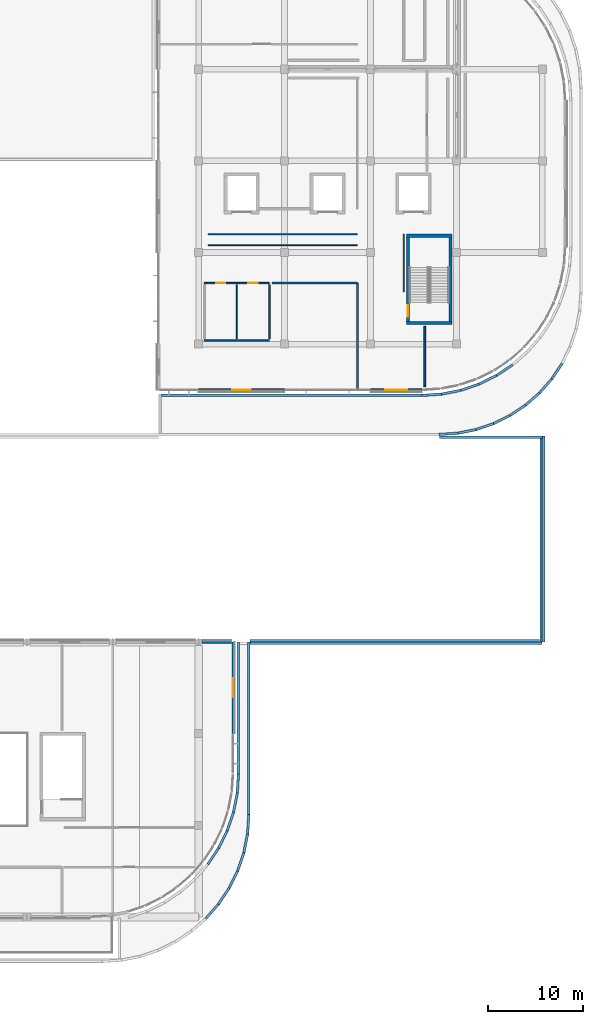
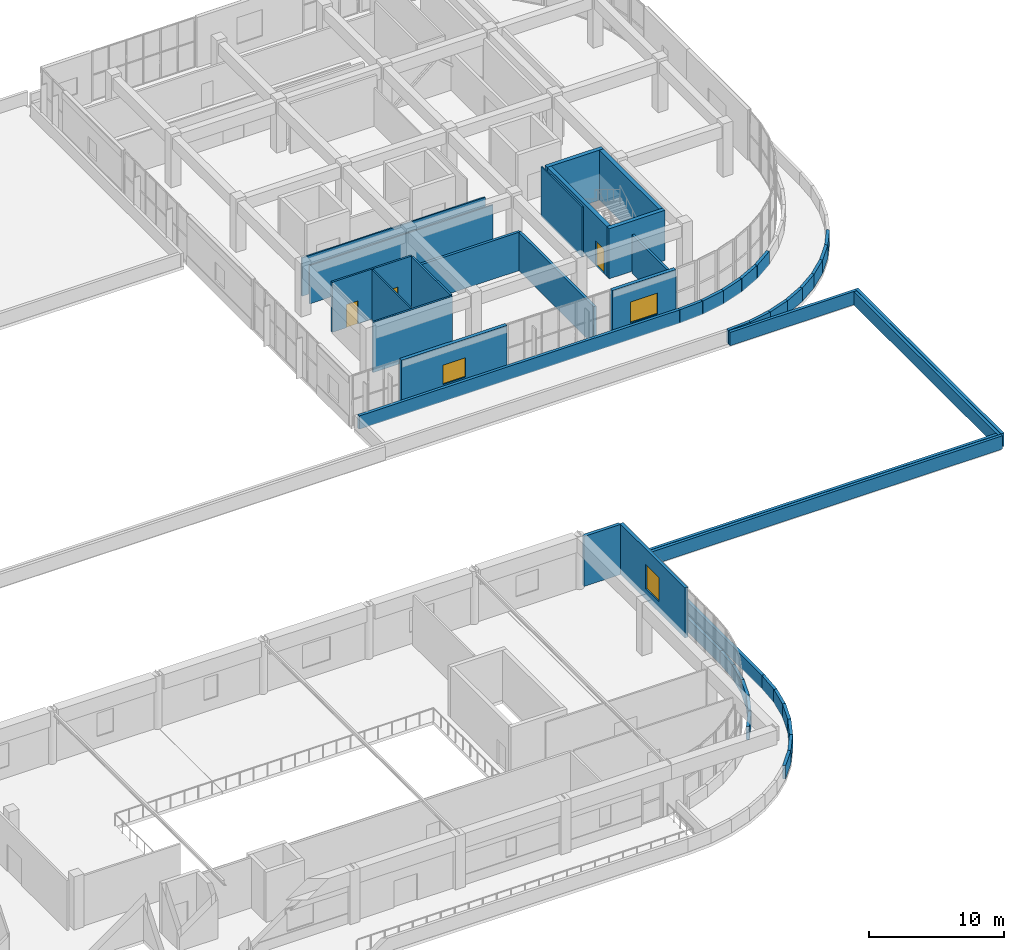
# One storey, part 50 of 67: 51 walls, 3 doors, 3 windows, 6 openings.
"""IFC4 building model written with IfcOpenShell, lengths in metres."""

from ifc_helpers import new_model, si_unit, direction, frame, frame_2d, origin, place, context, subcontext, project, spatial, rectangle, extrude, material, layer, layer_set, type_object, element, fill, save


model = new_model("IFC4")

# Units and contexts
model_context = context("Model", 3, precision=1e-05, world=origin(), true_north=direction((0.0, 1.0)))
body_context = subcontext(model_context, "Body", "Model", "MODEL_VIEW")
ifc_project = project(units=[si_unit("LENGTHUNIT", "METRE"), si_unit("AREAUNIT", "SQUARE_METRE"), si_unit("VOLUMEUNIT", "CUBIC_METRE"), si_unit("PLANEANGLEUNIT", "RADIAN"), si_unit("MASSUNIT", "GRAM", prefix="KILO")], contexts=[model_context])

# Site, building, storey
site_placement = place(None, origin())
site = spatial("IfcSite", under=ifc_project, at=site_placement, CompositionType="ELEMENT")
building_placement = place(site_placement, origin())
building = spatial("IfcBuilding", under=site, at=building_placement, Name="Cendralis Terraced Arcade", CompositionType="ELEMENT")
storey_placement = place(building_placement, frame((0.0, 0.0, 15.0)))
storey = spatial("IfcBuildingStorey", under=building, at=storey_placement, Name="L03", CompositionType="ELEMENT", Elevation=15.0)

# Walls
ifc_material_1 = material(Name="Gypsum plasterboard acoustic partition", Category="concrete")
ifc_layer_1 = layer(ifc_material_1, 0.195068359375, Name="WL-ACOU-195")
ifc_layer_set_1 = layer_set([ifc_layer_1], Name="Gypsum plasterboard acoustic partition")
wall_type_1 = type_object("IfcWallType", Name="WL-ACOU-195", PredefinedType="PARTITIONING", material=ifc_layer_set_1)
wall_1_placement = place(storey_placement, frame((153.8798828125, 71.4599609375, 0.0), z_axis=(0.0, 0.0, 1.0), x_axis=(0.0, -1.0, 0.0)))
element("IfcWall", 1, at=wall_1_placement, inside=storey, type_object=wall_type_1, Name="Interior Partition Wall IW-L03-0567", PredefinedType="PARTITIONING", context=body_context, shape_type="SweptSolid", body=[
    extrude(rectangle(XDim=6.30078125, YDim=0.195068359375, at=frame_2d((3.150390625, 0.0))), origin(), (0.0, 0.0, 1.0), 3.4599609375),
])
ifc_material_2 = material(Name="Autoclaved aerated concrete blockwork", Category="masonry")
ifc_layer_2 = layer(ifc_material_2, 0.221923828125, Name="WL-ACOU-222")
ifc_layer_set_2 = layer_set([ifc_layer_2], Name="Autoclaved aerated concrete blockwork")
wall_type_2 = type_object("IfcWallType", Name="WL-ACOU-222", PredefinedType="PARTITIONING", material=ifc_layer_set_2)
wall_2_placement = place(storey_placement, frame((137.85888671875, 76.02001953125, 0.0), z_axis=(0.0, 0.0, 1.0), x_axis=(1.0, 0.0, 0.0)))
element("IfcWall", 2, at=wall_2_placement, inside=storey, type_object=wall_type_2, Name="Interior Partition Wall IW-L03-0563", PredefinedType="PARTITIONING", context=body_context, shape_type="SweptSolid", body=[
    extrude(rectangle(XDim=8.961181640625, YDim=0.221923828125, at=frame_2d((4.48046875, 0.0))), origin(), (0.0, 0.0, 1.0), 3.4599609375),
])
ifc_layer_3 = layer(ifc_material_2, 0.22802734375, Name="WL-ACOU-228")
ifc_layer_set_3 = layer_set([ifc_layer_3], Name="Autoclaved aerated concrete blockwork")
wall_type_3 = type_object("IfcWallType", Name="WL-ACOU-228", PredefinedType="PARTITIONING", material=ifc_layer_set_3)
wall_3_placement = place(storey_placement, frame((146.820068359375, 76.02001953125, 0.0), z_axis=(0.0, 0.0, 1.0), x_axis=(0.0, -1.0, 0.0)))
element("IfcWall", 3, at=wall_3_placement, inside=storey, type_object=wall_type_3, Name="Interior Partition Wall IW-L03-0562", PredefinedType="PARTITIONING", context=body_context, shape_type="SweptSolid", body=[
    extrude(rectangle(XDim=11.159912109375, YDim=0.22802734375, at=frame_2d((5.580078125, 0.0))), origin(), (0.0, 0.0, 1.0), 3.4599609375),
])
ifc_material_3 = material(Name="Concrete f'c 42 MPa", Category="concrete")
ifc_layer_4 = layer(ifc_material_3, 0.340087890625, Name="WL-CORE-340")
ifc_layer_set_4 = layer_set([ifc_layer_4], Name="Concrete f'c 42 MPa")
wall_type_4 = type_object("IfcWallType", Name="WL-CORE-340", PredefinedType="SHEAR", material=ifc_layer_set_4)
for number, where, z_axis, x_axis, name in (
    (4, (151.9599609375, 71.830078125, 0.0), (0.0, 0.0, 1.0), (1.0, 0.0, 0.0), "Stair Core Reinforced Concrete Shear Wall SW-ST-06-L03-S"),
    (5, (151.9599609375, 80.969970703125, 0.0), (0.0, 0.0, 1.0), (1.0, 0.0, 0.0), "Stair Core Reinforced Concrete Shear Wall SW-ST-06-L03-N"),
):
    element("IfcWall", number, at=place(storey_placement, frame(where, z_axis=z_axis, x_axis=x_axis)), inside=storey, type_object=wall_type_4, Name=name, PredefinedType="SHEAR", context=body_context, shape_type="SweptSolid", body=[
        extrude(rectangle(XDim=4.780029296875, YDim=0.340087890625, at=frame_2d((2.39013671875, 0.0))), origin(), (0.0, 0.0, 1.0), 4.52001953125),
    ])
wall_4_placement = place(storey_placement, frame((156.570068359375, 72.0, 0.0), z_axis=(0.0, 0.0, 1.0), x_axis=(0.0, 1.0, 0.0)))
element("IfcWall", 6, at=wall_4_placement, inside=storey, type_object=wall_type_4, Name="Stair Core Reinforced Concrete Shear Wall SW-ST-06-L03-E", PredefinedType="SHEAR", context=body_context, shape_type="SweptSolid", body=[
    extrude(rectangle(XDim=8.800048828125, YDim=0.340087890625, at=frame_2d((4.39990234375, 0.0))), origin(), (0.0, 0.0, 1.0), 4.52001953125),
])

# Wall, opening, door
wall_5_placement = place(storey_placement, frame((152.1298828125, 72.0, 0.0), z_axis=(0.0, 0.0, 1.0), x_axis=(0.0, 1.0, 0.0)))
wall_5 = element("IfcWall", 7, at=wall_5_placement, inside=storey, type_object=wall_type_4, Name="Stair Core Reinforced Concrete Shear Wall SW-ST-06-L03-W", PredefinedType="SHEAR", context=body_context, shape_type="SweptSolid", body=[
    extrude(rectangle(XDim=8.800048828125, YDim=0.340087890625, at=frame_2d((4.39990234375, 0.0))), origin(), (0.0, 0.0, 1.0), 4.52001953125),
])
opening_1_placement = place(wall_5_placement, frame((0.449951171875, 0.0, 0.0)))
opening_1 = element("IfcOpeningElement", 8, at=opening_1_placement, cuts=wall_5, Name="Opening D-ST-06-L03", PredefinedType="OPENING", context=body_context, shape_type="SweptSolid", body=[
    extrude(rectangle(XDim=1.25, YDim=2.199951171875, at=frame_2d((0.625, 1.10009765625))), frame((0.0, 0.18212890625, 0.0), z_axis=(0.0, -1.0, 0.0), x_axis=(1.0, 0.0, 0.0)), (0.0, 0.0, 1.0), 0.364013671875),
])
ifc_material_4 = material(Name="Galvanised fire-rated steel door assembly", Category="steel")
door_type_1 = type_object("IfcDoorType", Name="ID-ST-1250x2200", OperationType="NOTDEFINED", PredefinedType="DOOR", material=ifc_material_4)
door_1_placement = place(opening_1_placement, frame((1.25, 0.0, 0.0), z_axis=(0.0, 0.0, 1.0), x_axis=(-1.0, 0.0, 0.0)))
door_1 = element("IfcDoor", 9, at=door_1_placement, inside=storey, type_object=door_type_1, Name="Protected Stair ST-06 Fire Door (L03)", OperationType="SINGLE_SWING_LEFT", OverallHeight=2.199951171875, OverallWidth=1.25, PredefinedType="DOOR", context=body_context, shape_type="SweptSolid", body=[
    extrude(rectangle(XDim=1.25, YDim=2.199951171875, at=frame_2d((0.625, 1.10009765625))), frame((0.0, 0.02490234375, 0.0), z_axis=(0.0, -1.0, 0.0), x_axis=(1.0, 0.0, 0.0)), (0.0, 0.0, 1.0), 0.050048828125),
])
fill(opening_1, door_1)

# Wall, opening, window
ifc_material_5 = material(Name="Precast concrete f'c 40 MPa", Category="concrete")
ifc_layer_5 = layer(ifc_material_5, 0.300048828125, Name="WL-EXT-GRC-300")
ifc_layer_set_5 = layer_set([ifc_layer_5], Name="Precast concrete f'c 40 MPa")
wall_type_5 = type_object("IfcWallType", Name="WL-EXT-GRC-300", PredefinedType="SOLIDWALL", material=ifc_layer_set_5)
wall_6_placement = place(storey_placement, frame((153.60009765625, 64.800048828125, 0.0), z_axis=(0.0, 0.0, 1.0), x_axis=(-1.0, 0.0, 0.0)))
wall_6 = element("IfcWall", 10, at=wall_6_placement, inside=storey, type_object=wall_type_5, Name="Exterior Architectural Wall EW-L03-0232", PredefinedType="SOLIDWALL", context=body_context, shape_type="SweptSolid", body=[
    extrude(rectangle(XDim=5.400146484375, YDim=0.300048828125, at=frame_2d((2.7001953125, 0.0))), origin(), (0.0, 0.0, 1.0), 4.52001953125),
])
opening_2_placement = place(wall_6_placement, frame((1.550048828125, 0.0, 1.050048828125)))
opening_2 = element("IfcOpeningElement", 11, at=opening_2_placement, cuts=wall_6, Name="Opening W-26", PredefinedType="OPENING", context=body_context, shape_type="SweptSolid", body=[
    extrude(rectangle(XDim=2.300048828125, YDim=1.89990234375, at=frame_2d((1.14990234375, 0.949951171875))), frame((0.0, 0.162109375, 0.0), z_axis=(0.0, -1.0, 0.0), x_axis=(1.0, 0.0, 0.0)), (0.0, 0.0, 1.0), 0.323974609375),
])
ifc_material_6 = material(Name="Tempered solar control laminated glass", Category="glass")
window_type_1 = type_object("IfcWindowType", Name="WN-F3-2300x1900", PartitioningType="SINGLE_PANEL", PredefinedType="WINDOW", material=ifc_material_6)
window_1_placement = place(opening_2_placement, origin())
window_1 = element("IfcWindow", 12, at=window_1_placement, inside=storey, type_object=window_type_1, Name="Exterior Solar-Control Window WN-L03-0144", OverallHeight=1.89990234375, OverallWidth=2.300048828125, PartitioningType="SINGLE_PANEL", PredefinedType="WINDOW", context=body_context, shape_type="SweptSolid", body=[
    extrude(rectangle(XDim=2.300048828125, YDim=1.89990234375, at=frame_2d((1.14990234375, 0.949951171875))), frame((0.0, 0.030029296875, 0.0), z_axis=(0.0, -1.0, 0.0), x_axis=(1.0, 0.0, 0.0)), (0.0, 0.0, 1.0), 0.06005859375),
])
fill(opening_2, window_1)

wall_7_placement = place(storey_placement, frame((139.199951171875, 64.800048828125, 0.0), z_axis=(0.0, 0.0, 1.0), x_axis=(-1.0, 0.0, 0.0)))
wall_7 = element("IfcWall", 13, at=wall_7_placement, inside=storey, type_object=wall_type_5, Name="Exterior Architectural Wall EW-L03-0233", PredefinedType="SOLIDWALL", context=body_context, shape_type="SweptSolid", body=[
    extrude(rectangle(XDim=9.0, YDim=0.300048828125, at=frame_2d((4.5, 0.0))), origin(), (0.0, 0.0, 1.0), 4.52001953125),
])
opening_3_placement = place(wall_7_placement, frame((3.52490234375, 0.0, 1.10009765625)))
opening_3 = element("IfcOpeningElement", 14, at=opening_3_placement, cuts=wall_7, Name="Opening W-27", PredefinedType="OPENING", context=body_context, shape_type="SweptSolid", body=[
    extrude(rectangle(XDim=1.949951171875, YDim=1.75, at=frame_2d((0.97509765625, 0.875))), frame((0.0, 0.162109375, 0.0), z_axis=(0.0, -1.0, 0.0), x_axis=(1.0, 0.0, 0.0)), (0.0, 0.0, 1.0), 0.323974609375),
])
window_type_2 = type_object("IfcWindowType", Name="WN-F3-1950x1750", PartitioningType="SINGLE_PANEL", PredefinedType="WINDOW", material=ifc_material_6)
window_2_placement = place(opening_3_placement, origin())
window_2 = element("IfcWindow", 15, at=window_2_placement, inside=storey, type_object=window_type_2, Name="Exterior Solar-Control Window WN-L03-0145", OverallHeight=1.75, OverallWidth=1.949951171875, PartitioningType="SINGLE_PANEL", PredefinedType="WINDOW", context=body_context, shape_type="SweptSolid", body=[
    extrude(rectangle(XDim=1.949951171875, YDim=1.75, at=frame_2d((0.97509765625, 0.875))), frame((0.0, 0.030029296875, 0.0), z_axis=(0.0, -1.0, 0.0), x_axis=(1.0, 0.0, 0.0)), (0.0, 0.0, 1.0), 0.06005859375),
])
fill(opening_3, window_2)

ifc_material_7 = material(Name="Terracotta clay masonry", Category="masonry")
ifc_layer_6 = layer(ifc_material_7, 0.264892578125, Name="WL-EXT-TER-265")
ifc_layer_set_6 = layer_set([ifc_layer_6], Name="Terracotta clay masonry")
wall_type_6 = type_object("IfcWallType", Name="WL-EXT-TER-265", PredefinedType="SOLIDWALL", material=ifc_layer_set_6)
wall_8_placement = place(storey_placement, frame((133.800048828125, 38.39990234375, 0.0), z_axis=(0.0, 0.0, 1.0), x_axis=(0.0, -1.0, 0.0)))
wall_8 = element("IfcWall", 16, at=wall_8_placement, inside=storey, type_object=wall_type_6, Name="Exterior Architectural Wall EW-L03-0239", PredefinedType="SOLIDWALL", context=body_context, shape_type="SweptSolid", body=[
    extrude(rectangle(XDim=9.599853515625, YDim=0.264892578125, at=frame_2d((4.7998046875, 0.0))), origin(), (0.0, 0.0, 1.0), 4.52001953125),
])
opening_4_placement = place(wall_8_placement, frame((3.800048828125, 0.0, 0.949951171875)))
opening_4 = element("IfcOpeningElement", 17, at=opening_4_placement, cuts=wall_8, Name="Opening W-03", PredefinedType="OPENING", context=body_context, shape_type="SweptSolid", body=[
    extrude(rectangle(XDim=2.0, YDim=2.199951171875, at=frame_2d((1.0, 1.10009765625))), frame((0.0, 0.14453125, 0.0), z_axis=(0.0, -1.0, 0.0), x_axis=(1.0, 0.0, 0.0)), (0.0, 0.0, 1.0), 0.288818359375),
])
window_type_3 = type_object("IfcWindowType", Name="WN-F1-2000x2200", PartitioningType="SINGLE_PANEL", PredefinedType="WINDOW", material=ifc_material_6)
window_3_placement = place(opening_4_placement, origin())
window_3 = element("IfcWindow", 18, at=window_3_placement, inside=storey, type_object=window_type_3, Name="Exterior Solar-Control Window WN-L03-0151", OverallHeight=2.199951171875, OverallWidth=2.0, PartitioningType="SINGLE_PANEL", PredefinedType="WINDOW", context=body_context, shape_type="SweptSolid", body=[
    extrude(rectangle(XDim=2.0, YDim=2.199951171875, at=frame_2d((1.0, 1.10009765625))), frame((0.0, 0.030029296875, 0.0), z_axis=(0.0, -1.0, 0.0), x_axis=(1.0, 0.0, 0.0)), (0.0, 0.0, 1.0), 0.06005859375),
])
fill(opening_4, window_3)

# Walls
wall_9_placement = place(storey_placement, frame((130.548095703125, 38.39990234375, 0.0), z_axis=(0.0, 0.0, 1.0), x_axis=(1.0, 0.0, 0.0)))
element("IfcWall", 19, at=wall_9_placement, inside=storey, type_object=wall_type_6, Name="Exterior Architectural Wall EW-L03-0257", PredefinedType="SOLIDWALL", context=body_context, shape_type="SweptSolid", body=[
    extrude(rectangle(XDim=3.099365234375, YDim=0.264892578125, at=frame_2d((1.5498046875, 0.0))), origin(), (0.0, 0.0, 1.0), 4.52001953125),
])
ifc_layer_7 = layer(ifc_material_5, 0.25, Name="WL-PAR-250")
ifc_layer_set_7 = layer_set([ifc_layer_7], Name="Precast concrete f'c 40 MPa")
wall_type_7 = type_object("IfcWallType", Name="WL-PAR-250", PredefinedType="PARAPET", material=ifc_layer_set_7)
wall_10_placement = place(storey_placement, frame((155.64111328125, 64.368896484375, 0.0), z_axis=(0.0, 0.0, 1.0), x_axis=(0.980803501331, 0.194998696859, 0.0)))
element("IfcWall", 20, at=wall_10_placement, inside=storey, type_object=wall_type_7, Name="Precast Concrete Roof Parapet Wall PAR-L03-174", PredefinedType="PARAPET", context=body_context, shape_type="SweptSolid", body=[
    extrude(rectangle(XDim=2.01708984375, YDim=0.25, at=frame_2d((1.008544921875, 0.0))), origin(), (0.0, 0.0, 1.0), 1.199951171875),
])
wall_11_placement = place(storey_placement, frame((157.6376953125, 64.76708984375, 0.0), z_axis=(0.0, 0.0, 1.0), x_axis=(0.946938585467, 0.321414553738, 0.0)))
element("IfcWall", 21, at=wall_11_placement, inside=storey, type_object=wall_type_7, Name="Precast Concrete Roof Parapet Wall PAR-L03-175", PredefinedType="PARAPET", context=body_context, shape_type="SweptSolid", body=[
    extrude(rectangle(XDim=2.017333984375, YDim=0.25, at=frame_2d((1.0087890625, 0.0))), origin(), (0.0, 0.0, 1.0), 1.199951171875),
])
for number, where, z_axis, x_axis, name in (
    (22, (159.5654296875, 65.4228515625, 0.0), (0.0, 0.0, 1.0), (0.896834695497, 0.442365831584, 0.0), "Precast Concrete Roof Parapet Wall PAR-L03-176"),
    (23, (161.39111328125, 66.324462890625, 0.0), (0.0, 0.0, 1.0), (0.83139798639, 0.555677413818, 0.0), "Precast Concrete Roof Parapet Wall PAR-L03-177"),
):
    element("IfcWall", number, at=place(storey_placement, frame(where, z_axis=z_axis, x_axis=x_axis)), inside=storey, type_object=wall_type_7, Name=name, PredefinedType="PARAPET", context=body_context, shape_type="SweptSolid", body=[
        extrude(rectangle(XDim=2.01708984375, YDim=0.25, at=frame_2d((1.008544921875, 0.0))), origin(), (0.0, 0.0, 1.0), 1.199951171875),
    ])
wall_12_placement = place(storey_placement, frame((168.269775390625, 67.58056640625, 0.0), z_axis=(0.0, 0.0, 1.0), x_axis=(-0.555590048032, -0.831456371993, 0.0)))
element("IfcWall", 24, at=wall_12_placement, inside=storey, type_object=wall_type_7, Name="Precast Concrete Roof Parapet Wall PAR-L03-277", PredefinedType="PARAPET", context=body_context, shape_type="SweptSolid", body=[
    extrude(rectangle(XDim=1.962158203125, YDim=0.25, at=frame_2d((0.98095703125, 0.0))), origin(), (0.0, 0.0, 1.0), 1.199951171875),
])
for number, where, z_axis, x_axis, name in (
    (25, (167.19140625, 65.964111328125, 0.0), (0.0, 0.0, 1.0), (-0.659367493455, -0.751820795519, 0.0), "Precast Concrete Roof Parapet Wall PAR-L03-278"),
    (26, (165.910888671875, 64.50244140625, 0.0), (0.0, 0.0, 1.0), (-0.751820795519, -0.659367493455, 0.0), "Precast Concrete Roof Parapet Wall PAR-L03-279"),
):
    element("IfcWall", number, at=place(storey_placement, frame(where, z_axis=z_axis, x_axis=x_axis)), inside=storey, type_object=wall_type_7, Name=name, PredefinedType="PARAPET", context=body_context, shape_type="SweptSolid", body=[
        extrude(rectangle(XDim=1.9619140625, YDim=0.25, at=frame_2d((0.98095703125, 0.0))), origin(), (0.0, 0.0, 1.0), 1.199951171875),
    ])
for number, where, z_axis, x_axis, name in (
    (27, (164.45068359375, 63.22021484375, 0.0), (0.0, 0.0, 1.0), (-0.831456371993, -0.555590048032, 0.0), "Precast Concrete Roof Parapet Wall PAR-L03-280"),
    (28, (162.8359375, 62.1396484375, 0.0), (0.0, 0.0, 1.0), (-0.89685261461, -0.44232950124, 0.0), "Precast Concrete Roof Parapet Wall PAR-L03-281"),
    (29, (161.09375, 61.279052734375, 0.0), (0.0, 0.0, 1.0), (-0.946952333269, -0.321374047672, 0.0), "Precast Concrete Roof Parapet Wall PAR-L03-282"),
):
    element("IfcWall", number, at=place(storey_placement, frame(where, z_axis=z_axis, x_axis=x_axis)), inside=storey, type_object=wall_type_7, Name=name, PredefinedType="PARAPET", context=body_context, shape_type="SweptSolid", body=[
        extrude(rectangle(XDim=1.962158203125, YDim=0.25, at=frame_2d((0.98095703125, 0.0))), origin(), (0.0, 0.0, 1.0), 1.199951171875),
    ])
wall_13_placement = place(storey_placement, frame((159.25390625, 60.6533203125, 0.0), z_axis=(0.0, 0.0, 1.0), x_axis=(-0.980781167848, -0.19511099609, 0.0)))
element("IfcWall", 30, at=wall_13_placement, inside=storey, type_object=wall_type_7, Name="Precast Concrete Roof Parapet Wall PAR-L03-283", PredefinedType="PARAPET", context=body_context, shape_type="SweptSolid", body=[
    extrude(rectangle(XDim=1.9619140625, YDim=0.25, at=frame_2d((0.98095703125, 0.0))), origin(), (0.0, 0.0, 1.0), 1.199951171875),
])
wall_14_placement = place(storey_placement, frame((157.348388671875, 60.27294921875, 0.0), z_axis=(0.0, 0.0, 1.0), x_axis=(-0.997864267614, -0.065321538715, 0.0)))
element("IfcWall", 31, at=wall_14_placement, inside=storey, type_object=wall_type_7, Name="Precast Concrete Roof Parapet Wall PAR-L03-284", PredefinedType="PARAPET", context=body_context, shape_type="SweptSolid", body=[
    extrude(rectangle(XDim=1.962158203125, YDim=0.25, at=frame_2d((0.98095703125, 0.0))), origin(), (0.0, 0.0, 1.0), 1.199951171875),
])
wall_15_placement = place(storey_placement, frame((155.39990234375, 59.85498046875, 0.0), z_axis=(0.0, 0.0, 1.0), x_axis=(1.0, 0.0, 0.0)))
element("IfcWall", 32, at=wall_15_placement, inside=storey, type_object=wall_type_7, Name="Precast Concrete Roof Parapet Wall PAR-L03-285", PredefinedType="PARAPET", context=body_context, shape_type="SweptSolid", body=[
    extrude(rectangle(XDim=10.800048828125, YDim=0.25, at=frame_2d((5.39990234375, 0.0))), origin(), (0.0, 0.0, 1.0), 1.199951171875),
])
wall_16_placement = place(storey_placement, frame((166.054931640625, 59.7099609375, 0.0), z_axis=(0.0, 0.0, 1.0), x_axis=(0.0, -1.0, 0.0)))
element("IfcWall", 33, at=wall_16_placement, inside=storey, type_object=wall_type_7, Name="Precast Concrete Roof Parapet Wall PAR-L03-286", PredefinedType="PARAPET", context=body_context, shape_type="SweptSolid", body=[
    extrude(rectangle(XDim=21.31005859375, YDim=0.25, at=frame_2d((10.655029296875, 0.0))), origin(), (0.0, 0.0, 1.0), 1.199951171875),
])
wall_17_placement = place(storey_placement, frame((165.909912109375, 38.544921875, 0.0), z_axis=(0.0, 0.0, 1.0), x_axis=(-1.0, 0.0, 0.0)))
element("IfcWall", 34, at=wall_17_placement, inside=storey, type_object=wall_type_7, Name="Precast Concrete Roof Parapet Wall PAR-L03-287", PredefinedType="PARAPET", context=body_context, shape_type="SweptSolid", body=[
    extrude(rectangle(XDim=30.309814453125, YDim=0.25, at=frame_2d((15.15478515625, 0.0))), origin(), (0.0, 0.0, 1.0), 1.199951171875),
])
wall_18_placement = place(storey_placement, frame((135.455078125, 38.39990234375, 0.0), z_axis=(0.0, 0.0, 1.0), x_axis=(0.0, -1.0, 0.0)))
element("IfcWall", 35, at=wall_18_placement, inside=storey, type_object=wall_type_7, Name="Precast Concrete Roof Parapet Wall PAR-L03-288", PredefinedType="PARAPET", context=body_context, shape_type="SweptSolid", body=[
    extrude(rectangle(XDim=18.099853515625, YDim=0.25, at=frame_2d((9.0498046875, 0.0))), origin(), (0.0, 0.0, 1.0), 1.199951171875),
])
for number, where, z_axis, x_axis, name in (
    (36, (135.455322265625, 20.3095703125, 0.0), (0.0, 0.0, 1.0), (-0.065384104298, -0.997860170016, 0.0), "Precast Concrete Roof Parapet Wall PAR-L03-289"),
    (37, (135.3251953125, 18.30517578125, 0.0), (0.0, 0.0, 1.0), (-0.195073962632, -0.980788534345, 0.0), "Precast Concrete Roof Parapet Wall PAR-L03-290"),
    (38, (134.9345703125, 16.3349609375, 0.0), (0.0, 0.0, 1.0), (-0.321496873028, -0.946910640258, 0.0), "Precast Concrete Roof Parapet Wall PAR-L03-291"),
    (39, (134.2900390625, 14.4326171875, 0.0), (0.0, 0.0, 1.0), (-0.442246048249, -0.896893768965, 0.0), "Precast Concrete Roof Parapet Wall PAR-L03-292"),
    (40, (133.40283203125, 12.630615234375, 0.0), (0.0, 0.0, 1.0), (-0.555589088765, -0.831457012987, 0.0), "Precast Concrete Roof Parapet Wall PAR-L03-293"),
    (41, (132.2880859375, 10.959716796875, 0.0), (0.0, 0.0, 1.0), (-0.659356634584, -0.751830318908, 0.0), "Precast Concrete Roof Parapet Wall PAR-L03-294"),
):
    element("IfcWall", number, at=place(storey_placement, frame(where, z_axis=z_axis, x_axis=x_axis)), inside=storey, type_object=wall_type_7, Name=name, PredefinedType="PARAPET", context=body_context, shape_type="SweptSolid", body=[
        extrude(rectangle(XDim=2.027587890625, YDim=0.25, at=frame_2d((1.013671875, 0.0))), origin(), (0.0, 0.0, 1.0), 1.199951171875),
    ])
wall_19_placement = place(storey_placement, frame((131.15478515625, 15.1318359375, 0.0), z_axis=(0.0, 0.0, 1.0), x_axis=(0.555593742386, 0.831453903366, 0.0)))
element("IfcWall", 42, at=wall_19_placement, inside=storey, type_object=wall_type_7, Name="Precast Concrete Roof Parapet Wall PAR-L03-312", PredefinedType="PARAPET", context=body_context, shape_type="SweptSolid", body=[
    extrude(rectangle(XDim=2.016845703125, YDim=0.25, at=frame_2d((1.00830078125, 0.0))), origin(), (0.0, 0.0, 1.0), 1.199951171875),
])
wall_20_placement = place(storey_placement, frame((132.284912109375, 16.825439453125, 0.0), z_axis=(0.0, 0.0, 1.0), x_axis=(0.442268477568, 0.896882709026, 0.0)))
element("IfcWall", 43, at=wall_20_placement, inside=storey, type_object=wall_type_7, Name="Precast Concrete Roof Parapet Wall PAR-L03-313", PredefinedType="PARAPET", context=body_context, shape_type="SweptSolid", body=[
    extrude(rectangle(XDim=2.01708984375, YDim=0.25, at=frame_2d((1.008544921875, 0.0))), origin(), (0.0, 0.0, 1.0), 1.199951171875),
])
wall_21_placement = place(storey_placement, frame((133.184326171875, 18.652099609375, 0.0), z_axis=(0.0, 0.0, 1.0), x_axis=(0.321451389675, 0.946926081633, 0.0)))
element("IfcWall", 44, at=wall_21_placement, inside=storey, type_object=wall_type_7, Name="Precast Concrete Roof Parapet Wall PAR-L03-314", PredefinedType="PARAPET", context=body_context, shape_type="SweptSolid", body=[
    extrude(rectangle(XDim=2.017333984375, YDim=0.25, at=frame_2d((1.0087890625, 0.0))), origin(), (0.0, 0.0, 1.0), 1.199951171875),
])
wall_22_placement = place(storey_placement, frame((133.837646484375, 20.58056640625, 0.0), z_axis=(0.0, 0.0, 1.0), x_axis=(0.195115132196, 0.980780345025, 0.0)))
element("IfcWall", 45, at=wall_22_placement, inside=storey, type_object=wall_type_7, Name="Precast Concrete Roof Parapet Wall PAR-L03-315", PredefinedType="PARAPET", context=body_context, shape_type="SweptSolid", body=[
    extrude(rectangle(XDim=2.01708984375, YDim=0.25, at=frame_2d((1.008544921875, 0.0))), origin(), (0.0, 0.0, 1.0), 1.199951171875),
])
wall_23_placement = place(storey_placement, frame((134.233642578125, 22.57763671875, 0.0), z_axis=(0.0, 0.0, 1.0), x_axis=(0.065435231603, 0.997856818619, 0.0)))
element("IfcWall", 46, at=wall_23_placement, inside=storey, type_object=wall_type_7, Name="Precast Concrete Roof Parapet Wall PAR-L03-316", PredefinedType="PARAPET", context=body_context, shape_type="SweptSolid", body=[
    extrude(rectangle(XDim=2.003662109375, YDim=0.25, at=frame_2d((1.001953125, 0.0))), origin(), (0.0, 0.0, 1.0), 1.199951171875),
])
wall_24_placement = place(storey_placement, frame((134.364990234375, 24.586181640625, 0.0), z_axis=(0.0, 0.0, 1.0), x_axis=(0.0, 1.0, 0.0)))
element("IfcWall", 47, at=wall_24_placement, inside=storey, type_object=wall_type_7, Name="Precast Concrete Roof Parapet Wall PAR-L03-317", PredefinedType="PARAPET", context=body_context, shape_type="SweptSolid", body=[
    extrude(rectangle(XDim=13.833740234375, YDim=0.25, at=frame_2d((6.9169921875, 0.0))), origin(), (0.0, 0.0, 1.0), 1.199951171875),
])
wall_25_placement = place(storey_placement, frame((135.60009765625, 38.27490234375, 0.0), z_axis=(0.0, 0.0, 1.0), x_axis=(1.0, 0.0, 0.0)))
element("IfcWall", 48, at=wall_25_placement, inside=storey, type_object=wall_type_7, Name="Precast Concrete Roof Parapet Wall PAR-L03-318", PredefinedType="PARAPET", context=body_context, shape_type="SweptSolid", body=[
    extrude(rectangle(XDim=30.579833984375, YDim=0.25, at=frame_2d((15.2900390625, 0.0))), origin(), (0.0, 0.0, 1.0), 1.199951171875),
])
wall_26_placement = place(storey_placement, frame((166.324951171875, 38.419921875, 0.0), z_axis=(0.0, 0.0, 1.0), x_axis=(0.0, 1.0, 0.0)))
element("IfcWall", 49, at=wall_26_placement, inside=storey, type_object=wall_type_7, Name="Precast Concrete Roof Parapet Wall PAR-L03-319", PredefinedType="PARAPET", context=body_context, shape_type="SweptSolid", body=[
    extrude(rectangle(XDim=21.56005859375, YDim=0.25, at=frame_2d((10.780029296875, 0.0))), origin(), (0.0, 0.0, 1.0), 1.199951171875),
])
wall_27_placement = place(storey_placement, frame((126.2900390625, 64.235107421875, 0.0), z_axis=(0.0, 0.0, 1.0), x_axis=(1.0, 0.0, 0.0)))
element("IfcWall", 50, at=wall_27_placement, inside=storey, type_object=wall_type_7, Name="Precast Concrete Roof Parapet Wall PAR-L03-325", PredefinedType="PARAPET", context=body_context, shape_type="SweptSolid", body=[
    extrude(rectangle(XDim=27.32373046875, YDim=0.25, at=frame_2d((13.661865234375, 0.0))), origin(), (0.0, 0.0, 1.0), 1.199951171875),
])
wall_28_placement = place(storey_placement, frame((153.623291015625, 64.2353515625, 0.0), z_axis=(0.0, 0.0, 1.0), x_axis=(0.997864247804, 0.065321841332, 0.0)))
element("IfcWall", 51, at=wall_28_placement, inside=storey, type_object=wall_type_7, Name="Precast Concrete Roof Parapet Wall PAR-L03-326", PredefinedType="PARAPET", context=body_context, shape_type="SweptSolid", body=[
    extrude(rectangle(XDim=2.00341796875, YDim=0.25, at=frame_2d((1.001708984375, 0.0))), origin(), (0.0, 0.0, 1.0), 1.199951171875),
])
ifc_layer_8 = layer(ifc_material_1, 0.112060546875, Name="WL-PART-112")
ifc_layer_set_8 = layer_set([ifc_layer_8], Name="Gypsum plasterboard acoustic partition")
wall_type_8 = type_object("IfcWallType", Name="WL-PART-112", PredefinedType="PARTITIONING", material=ifc_layer_set_8)
wall_29_placement = place(storey_placement, frame((151.679931640625, 75.0771484375, 0.0), z_axis=(0.0, 0.0, 1.0), x_axis=(0.0, 1.0, 0.0)))
element("IfcWall", 52, at=wall_29_placement, inside=storey, type_object=wall_type_8, Name="Interior Partition Wall IW-L03-0560", PredefinedType="PARTITIONING", context=body_context, shape_type="SweptSolid", body=[
    extrude(rectangle(XDim=6.04296875, YDim=0.112060546875, at=frame_2d((3.021484375, 0.0))), origin(), (0.0, 0.0, 1.0), 4.52001953125),
])
ifc_layer_9 = layer(ifc_material_1, 0.114990234375, Name="WL-PART-115")
ifc_layer_set_9 = layer_set([ifc_layer_9], Name="Gypsum plasterboard acoustic partition")
wall_type_9 = type_object("IfcWallType", Name="WL-PART-115", PredefinedType="PARTITIONING", material=ifc_layer_set_9)
wall_30_placement = place(storey_placement, frame((146.820068359375, 79.97998046875, 0.0), z_axis=(0.0, 0.0, 1.0), x_axis=(-1.0, 0.0, 0.0)))
element("IfcWall", 53, at=wall_30_placement, inside=storey, type_object=wall_type_9, Name="Interior Partition Wall IW-L03-0559", PredefinedType="PARTITIONING", context=body_context, shape_type="SweptSolid", body=[
    extrude(rectangle(XDim=15.64013671875, YDim=0.114990234375, at=frame_2d((7.820068359375, 0.0))), origin(), (0.0, 0.0, 1.0), 3.4599609375),
])
ifc_layer_10 = layer(ifc_material_1, 0.117919921875, Name="WL-PART-118")
ifc_layer_set_10 = layer_set([ifc_layer_10], Name="Gypsum plasterboard acoustic partition")
wall_type_10 = type_object("IfcWallType", Name="WL-PART-118", PredefinedType="PARTITIONING", material=ifc_layer_set_10)
wall_31_placement = place(storey_placement, frame((131.179931640625, 81.1201171875, 0.0), z_axis=(0.0, 0.0, 1.0), x_axis=(1.0, 0.0, 0.0)))
element("IfcWall", 54, at=wall_31_placement, inside=storey, type_object=wall_type_10, Name="Interior Partition Wall IW-L03-0558", PredefinedType="PARTITIONING", context=body_context, shape_type="SweptSolid", body=[
    extrude(rectangle(XDim=15.64013671875, YDim=0.117919921875, at=frame_2d((7.820068359375, 0.0))), origin(), (0.0, 0.0, 1.0), 3.4599609375),
])
ifc_layer_11 = layer(ifc_material_1, 0.1298828125, Name="WL-PART-130")
ifc_layer_set_11 = layer_set([ifc_layer_11], Name="Gypsum plasterboard acoustic partition")
wall_type_11 = type_object("IfcWallType", Name="WL-PART-130", PredefinedType="PARTITIONING", material=ifc_layer_set_11)
wall_32_placement = place(storey_placement, frame((134.199951171875, 70.14990234375, 0.0), z_axis=(0.0, 0.0, 1.0), x_axis=(0.0, 1.0, 0.0)))
element("IfcWall", 55, at=wall_32_placement, inside=storey, type_object=wall_type_11, Name="Restroom Enclosure Partition IW-WC-L03-0061", PredefinedType="PARTITIONING", context=body_context, shape_type="SweptSolid", body=[
    extrude(rectangle(XDim=5.7001953125, YDim=0.1298828125, at=frame_2d((2.85009765625, 0.0))), origin(), (0.0, 0.0, 1.0), 4.52001953125),
])
ifc_layer_12 = layer(ifc_material_1, 0.159912109375, Name="WL-PART-160")
ifc_layer_set_12 = layer_set([ifc_layer_12], Name="Gypsum plasterboard acoustic partition")
wall_type_12 = type_object("IfcWallType", Name="WL-PART-160", PredefinedType="PARTITIONING", material=ifc_layer_set_12)
wall_33_placement = place(storey_placement, frame((130.800048828125, 70.0, 0.0), z_axis=(0.0, 0.0, 1.0), x_axis=(1.0, 0.0, 0.0)))
element("IfcWall", 56, at=wall_33_placement, inside=storey, type_object=wall_type_12, Name="Restroom Enclosure Partition IW-WC-L03-0059", PredefinedType="PARTITIONING", context=body_context, shape_type="SweptSolid", body=[
    extrude(rectangle(XDim=6.800048828125, YDim=0.159912109375, at=frame_2d((3.39990234375, 0.0))), origin(), (0.0, 0.0, 1.0), 4.52001953125),
])
wall_34_placement = place(storey_placement, frame((137.60009765625, 70.14990234375, 0.0), z_axis=(0.0, 0.0, 1.0), x_axis=(0.0, 1.0, 0.0)))
element("IfcWall", 57, at=wall_34_placement, inside=storey, type_object=wall_type_12, Name="Restroom Enclosure Partition IW-WC-L03-0062", PredefinedType="PARTITIONING", context=body_context, shape_type="SweptSolid", body=[
    extrude(rectangle(XDim=5.7001953125, YDim=0.159912109375, at=frame_2d((2.85009765625, 0.0))), origin(), (0.0, 0.0, 1.0), 4.52001953125),
])

# Wall, opening, door
wall_35_placement = place(storey_placement, frame((130.800048828125, 76.0, 0.0), z_axis=(0.0, 0.0, 1.0), x_axis=(1.0, 0.0, 0.0)))
wall_35 = element("IfcWall", 58, at=wall_35_placement, inside=storey, type_object=wall_type_12, Name="Restroom Enclosure Partition IW-WC-L03-0063", PredefinedType="PARTITIONING", context=body_context, shape_type="SweptSolid", body=[
    extrude(rectangle(XDim=3.39990234375, YDim=0.159912109375, at=frame_2d((1.699951171875, 0.0))), origin(), (0.0, 0.0, 1.0), 4.52001953125),
])
opening_5_placement = place(wall_35_placement, frame((1.22509765625, 0.0, 0.0)))
opening_5 = element("IfcOpeningElement", 59, at=opening_5_placement, cuts=wall_35, Name="Opening D-WC-L03-022", PredefinedType="OPENING", context=body_context, shape_type="SweptSolid", body=[
    extrude(rectangle(XDim=0.949951171875, YDim=2.080078125, at=frame_2d((0.47509765625, 1.0400390625))), frame((0.0, 0.091796875, 0.0), z_axis=(0.0, -1.0, 0.0), x_axis=(1.0, 0.0, 0.0)), (0.0, 0.0, 1.0), 0.183837890625),
])
ifc_material_8 = material(Name="Solid core Andean oak veneer door leaf", Category="aluminium")
door_type_2 = type_object("IfcDoorType", Name="ID-WC-0950x2080", OperationType="NOTDEFINED", PredefinedType="DOOR", material=ifc_material_8)
door_2_placement = place(opening_5_placement, origin())
door_2 = element("IfcDoor", 60, at=door_2_placement, inside=storey, type_object=door_type_2, Name="East Restroom Door (L03)", OperationType="SINGLE_SWING_LEFT", OverallHeight=2.080078125, OverallWidth=0.949951171875, PredefinedType="DOOR", context=body_context, shape_type="SweptSolid", body=[
    extrude(rectangle(XDim=0.949951171875, YDim=2.080078125, at=frame_2d((0.47509765625, 1.0400390625))), frame((0.0, 0.02490234375, 0.0), z_axis=(0.0, -1.0, 0.0), x_axis=(1.0, 0.0, 0.0)), (0.0, 0.0, 1.0), 0.050048828125),
])
fill(opening_5, door_2)

wall_36_placement = place(storey_placement, frame((134.199951171875, 76.0, 0.0), z_axis=(0.0, 0.0, 1.0), x_axis=(1.0, 0.0, 0.0)))
wall_36 = element("IfcWall", 61, at=wall_36_placement, inside=storey, type_object=wall_type_12, Name="Restroom Enclosure Partition IW-WC-L03-0064", PredefinedType="PARTITIONING", context=body_context, shape_type="SweptSolid", body=[
    extrude(rectangle(XDim=3.400146484375, YDim=0.159912109375, at=frame_2d((1.7001953125, 0.0))), origin(), (0.0, 0.0, 1.0), 4.52001953125),
])
opening_6_placement = place(wall_36_placement, frame((1.18994140625, 0.0, 0.0)))
opening_6 = element("IfcOpeningElement", 62, at=opening_6_placement, cuts=wall_36, Name="Opening D-WC-L03-023", PredefinedType="OPENING", context=body_context, shape_type="SweptSolid", body=[
    extrude(rectangle(XDim=1.02001953125, YDim=2.1201171875, at=frame_2d((0.510009765625, 1.06005859375))), frame((0.0, 0.091796875, 0.0), z_axis=(0.0, -1.0, 0.0), x_axis=(1.0, 0.0, 0.0)), (0.0, 0.0, 1.0), 0.183837890625),
])
door_type_3 = type_object("IfcDoorType", Name="ID-AWC-1020x2120", OperationType="NOTDEFINED", PredefinedType="DOOR", material=ifc_material_8)
door_3_placement = place(opening_6_placement, origin())
door_3 = element("IfcDoor", 63, at=door_3_placement, inside=storey, type_object=door_type_3, Name="East Accessible WC Door (L03)", OperationType="SINGLE_SWING_RIGHT", OverallHeight=2.1201171875, OverallWidth=1.02001953125, PredefinedType="DOOR", context=body_context, shape_type="SweptSolid", body=[
    extrude(rectangle(XDim=1.02001953125, YDim=2.1201171875, at=frame_2d((0.510009765625, 1.06005859375))), frame((0.0, 0.02490234375, 0.0), z_axis=(0.0, -1.0, 0.0), x_axis=(1.0, 0.0, 0.0)), (0.0, 0.0, 1.0), 0.050048828125),
])
fill(opening_6, door_3)

save(model, "model.ifc")
